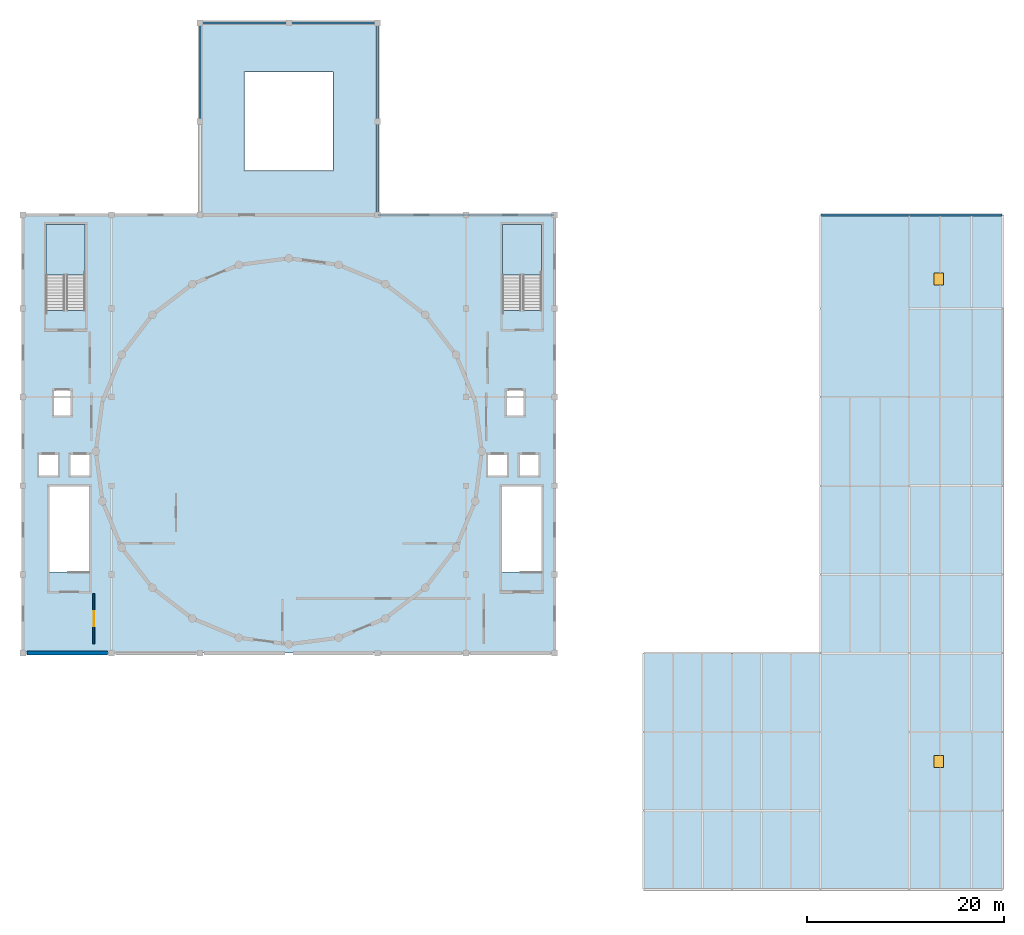
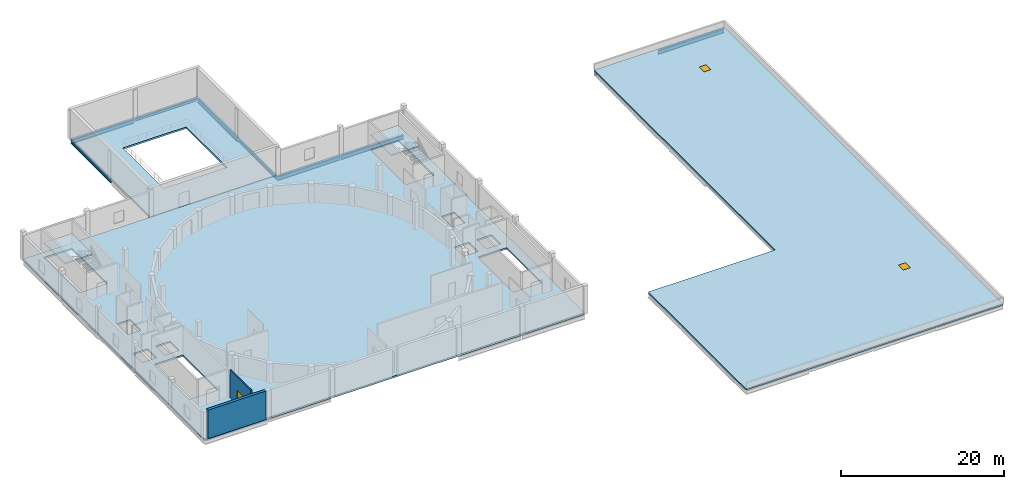
# One storey, part 3 of 10: 9 beams, 5 slabs, 3 doors, 2 walls, 3 openings, 2 elements without a shape of their own.
"""IFC4 building model written with IfcOpenShell, lengths in metres."""

from ifc_helpers import new_model, si_unit, direction, frame, frame_2d, origin, origin_2d, place, context, subcontext, project, spatial, polyline, rectangle, i_section, outline, extrude, material, layer, layer_set, material_profile, profile_set, type_object, element, fill, aggregate, save


model = new_model("IFC4")

# Units and contexts
model_context = context("Model", 3, precision=1e-05, world=origin(), true_north=direction((0.0, 1.0)))
body_context = subcontext(model_context, "Body", "Model", "MODEL_VIEW")
ifc_project = project(units=[si_unit("LENGTHUNIT", "METRE"), si_unit("AREAUNIT", "SQUARE_METRE"), si_unit("VOLUMEUNIT", "CUBIC_METRE"), si_unit("PLANEANGLEUNIT", "RADIAN"), si_unit("MASSUNIT", "GRAM", prefix="KILO")], contexts=[model_context])

# Site, building, storey
site_placement = place(None, origin())
site = spatial("IfcSite", under=ifc_project, at=site_placement, CompositionType="ELEMENT")
building_placement = place(site_placement, origin())
building = spatial("IfcBuilding", under=site, at=building_placement, Name="Marnock Terrace Opera House", CompositionType="ELEMENT")
storey_placement = place(building_placement, frame((0.0, 0.0, 23.699951171875)))
storey = spatial("IfcBuildingStorey", under=building, at=storey_placement, Name="L05", CompositionType="ELEMENT", Elevation=23.699951171875)

# Beams
ifc_material_1 = material(Name="Steel Grade 350 (AS/NZS 3679.1)", Category="steel")
ifc_material_profile_1 = material_profile(ifc_material_1, i_section(OverallWidth=0.177978515625, OverallDepth=0.402587890625, WebThickness=0.007568359375, FlangeThickness=0.010986328125, FilletRadius=0.011474609375, at=origin_2d()))
ifc_profile_set_1 = profile_set([ifc_material_profile_1], Name="Steel Grade 350 (AS/NZS 3679.1)")
beam_type_1 = type_object("IfcBeamType", Name="BM-GIRD-410", PredefinedType="BEAM", material=ifc_profile_set_1)
beam_1_placement = place(storey_placement, frame((82.050048828125, 104.0, -0.451171875), z_axis=(1.0, 0.0, 0.0), x_axis=(0.0, 1.0, 0.0)))
element("IfcBeam", 1, at=beam_1_placement, inside=storey, type_object=beam_type_1, Name="L05 girder (82.0..91.0, Y=104.0)", PredefinedType="BEAM", context=body_context, shape_type="SweptSolid", body=[
    extrude(i_section(OverallWidth=0.177978515625, OverallDepth=0.402587890625, WebThickness=0.007568359375, FlangeThickness=0.010986328125, FilletRadius=0.011474609375, at=origin_2d()), origin(), (0.0, 0.0, 1.0), 8.89990234375),
])
ifc_material_profile_2 = material_profile(ifc_material_1, i_section(OverallWidth=0.18994140625, OverallDepth=0.45751953125, WebThickness=0.009033203125, FlangeThickness=0.014404296875, FilletRadius=0.011474609375, at=origin_2d()))
ifc_profile_set_2 = profile_set([ifc_material_profile_2], Name="Steel Grade 350 (AS/NZS 3679.1)")
beam_type_2 = type_object("IfcBeamType", Name="BM-GIRD-460B", PredefinedType="BEAM", material=ifc_profile_set_2)
beam_2_placement = place(storey_placement, frame((73.0, 94.050048828125, -0.478759765625), z_axis=(0.0, 1.0, 0.0), x_axis=(-1.0, 0.0, 0.0)))
element("IfcBeam", 2, at=beam_2_placement, inside=storey, type_object=beam_type_2, Name="L05 girder (X=73.0, 94.0..104.0)", PredefinedType="BEAM", context=body_context, shape_type="SweptSolid", body=[
    extrude(i_section(OverallWidth=0.18994140625, OverallDepth=0.45751953125, WebThickness=0.009033203125, FlangeThickness=0.014404296875, FilletRadius=0.011474609375, at=origin_2d()), origin(), (0.0, 0.0, 1.0), 9.89990234375),
])
beam_3_placement = place(storey_placement, frame((91.0, 84.550048828125, -0.478759765625), z_axis=(0.0, 1.0, 0.0), x_axis=(-1.0, 0.0, 0.0)))
element("IfcBeam", 3, at=beam_3_placement, inside=storey, type_object=beam_type_2, Name="L05 girder (X=91.0, 84.5..94.0)", PredefinedType="BEAM", context=body_context, shape_type="SweptSolid", body=[
    extrude(i_section(OverallWidth=0.18994140625, OverallDepth=0.45751953125, WebThickness=0.009033203125, FlangeThickness=0.014404296875, FilletRadius=0.011474609375, at=origin_2d()), origin(), (0.0, 0.0, 1.0), 9.39990234375),
])
ifc_material_profile_3 = material_profile(ifc_material_1, i_section(OverallWidth=0.22900390625, OverallDepth=0.611572265625, WebThickness=0.011962890625, FlangeThickness=0.01953125, FilletRadius=0.013916015625, at=origin_2d()))
ifc_profile_set_3 = profile_set([ifc_material_profile_3], Name="Steel Grade 350 (AS/NZS 3679.1)")
beam_type_3 = type_object("IfcBeamType", Name="BM-GIRD-610A", PredefinedType="BEAM", material=ifc_profile_set_3)
beam_4_placement = place(storey_placement, frame((100.050048828125, 84.5, -0.5556640625), z_axis=(1.0, 0.0, 0.0), x_axis=(0.0, 1.0, 0.0)))
element("IfcBeam", 4, at=beam_4_placement, inside=storey, type_object=beam_type_3, Name="L05 girder (100.0..109.0, Y=84.5)", PredefinedType="BEAM", context=body_context, shape_type="SweptSolid", body=[
    extrude(i_section(OverallWidth=0.22900390625, OverallDepth=0.611572265625, WebThickness=0.011962890625, FlangeThickness=0.01953125, FilletRadius=0.013916015625, at=origin_2d()), origin(), (0.0, 0.0, 1.0), 8.89990234375),
])
beam_5_placement = place(storey_placement, frame((145.050048828125, 84.5, -0.525634765625), z_axis=(1.0, 0.0, 0.0), x_axis=(0.0, 1.0, 0.0)))
element("IfcBeam", 5, at=beam_5_placement, inside=storey, type_object=beam_type_3, Name="L05 girder (145.0..154.5, Y=84.5)", PredefinedType="BEAM", context=body_context, shape_type="SweptSolid", body=[
    extrude(i_section(OverallWidth=0.22900390625, OverallDepth=0.611572265625, WebThickness=0.011962890625, FlangeThickness=0.01953125, FilletRadius=0.013916015625, at=origin_2d()), origin(), (0.0, 0.0, 1.0), 9.39990234375),
])
beam_6_placement = place(storey_placement, frame((73.050048828125, 104.0, -0.5556640625), z_axis=(1.0, 0.0, 0.0), x_axis=(0.0, 1.0, 0.0)))
element("IfcBeam", 6, at=beam_6_placement, inside=storey, type_object=beam_type_3, Name="L05 girder (73.0..82.0, Y=104.0)", PredefinedType="BEAM", context=body_context, shape_type="SweptSolid", body=[
    extrude(i_section(OverallWidth=0.22900390625, OverallDepth=0.611572265625, WebThickness=0.011962890625, FlangeThickness=0.01953125, FilletRadius=0.013916015625, at=origin_2d()), origin(), (0.0, 0.0, 1.0), 8.89990234375),
])
ifc_material_profile_4 = material_profile(ifc_material_1, i_section(OverallWidth=0.22802734375, OverallDepth=0.60693359375, WebThickness=0.01123046875, FlangeThickness=0.017333984375, FilletRadius=0.013916015625, at=origin_2d()))
ifc_profile_set_4 = profile_set([ifc_material_profile_4], Name="Steel Grade 350 (AS/NZS 3679.1)")
beam_type_4 = type_object("IfcBeamType", Name="BM-GIRD-610B", PredefinedType="BEAM", material=ifc_profile_set_4)
for number, where, z_axis, x_axis, name in (
    (7, (91.050048828125, 84.5, -0.553466796875), (1.0, 0.0, 0.0), (0.0, 1.0, 0.0), "L05 girder (91.0..100.0, Y=84.5)"),
    (8, (136.050048828125, 84.5, -0.5234375), (1.0, 0.0, 0.0), (0.0, 1.0, 0.0), "L05 girder (136.0..145.0, Y=84.5)"),
):
    element("IfcBeam", number, at=place(storey_placement, frame(where, z_axis=z_axis, x_axis=x_axis)), inside=storey, type_object=beam_type_4, Name=name, PredefinedType="BEAM", context=body_context, shape_type="SweptSolid", body=[
        extrude(i_section(OverallWidth=0.22802734375, OverallDepth=0.60693359375, WebThickness=0.01123046875, FlangeThickness=0.017333984375, FilletRadius=0.013916015625, at=origin_2d()), origin(), (0.0, 0.0, 1.0), 8.89990234375),
    ])
ifc_material_profile_5 = material_profile(ifc_material_1, i_section(OverallWidth=0.22802734375, OverallDepth=0.60205078125, WebThickness=0.010498046875, FlangeThickness=0.014892578125, FilletRadius=0.013916015625, at=origin_2d()))
ifc_profile_set_5 = profile_set([ifc_material_profile_5], Name="Steel Grade 350 (AS/NZS 3679.1)")
beam_type_5 = type_object("IfcBeamType", Name="BM-GIRD-610C", PredefinedType="BEAM", material=ifc_profile_set_5)
beam_7_placement = place(storey_placement, frame((91.0, 94.050048828125, -0.551025390625), z_axis=(0.0, 1.0, 0.0), x_axis=(-1.0, 0.0, 0.0)))
element("IfcBeam", 9, at=beam_7_placement, inside=storey, type_object=beam_type_5, Name="L05 girder (X=91.0, 94.0..104.0)", PredefinedType="BEAM", context=body_context, shape_type="SweptSolid", body=[
    extrude(i_section(OverallWidth=0.22802734375, OverallDepth=0.60205078125, WebThickness=0.010498046875, FlangeThickness=0.014892578125, FilletRadius=0.013916015625, at=origin_2d()), origin(), (0.0, 0.0, 1.0), 9.89990234375),
])

# Slabs
ifc_material_2 = material(Name="Concrete N40 (f'c = 40 MPa)", Category="concrete")
ifc_layer_1 = layer(ifc_material_2, 0.25)
ifc_layer_set_1 = layer_set([ifc_layer_1], Name="Concrete N40 (f'c = 40 MPa)")
slab_type_1 = type_object("IfcSlabType", Name="SL-FLR-250", PredefinedType="FLOOR", material=ifc_layer_set_1)
slab_1_placement = place(storey_placement, frame((0.0, 0.0, -0.25)))
element("IfcSlab", 10, at=slab_1_placement, inside=storey, type_object=slab_type_1, Name="L05 Auditorium promenade structural floor slab", PredefinedType="FLOOR", context=body_context, shape_type="SweptSolid", body=[
    extrude(outline(polyline([(55.0, 40.0), (109.0, 40.0), (109.0, 84.5), (55.0, 84.5), (55.0, 40.0)]), holes=[polyline([(61.719970703125, 48.239990234375), (61.719970703125, 56.919921875), (57.679931640625, 56.919921875), (57.679931640625, 48.239990234375), (61.719970703125, 48.239990234375)]), polyline([(56.580078125, 57.97998046875), (58.6201171875, 57.97998046875), (58.6201171875, 60.219970703125), (56.580078125, 60.219970703125), (56.580078125, 57.97998046875)]), polyline([(59.780029296875, 57.97998046875), (61.820068359375, 57.97998046875), (61.820068359375, 60.219970703125), (59.780029296875, 60.219970703125), (59.780029296875, 57.97998046875)]), polyline([(107.679931640625, 48.239990234375), (107.679931640625, 56.919921875), (103.639892578125, 56.919921875), (103.639892578125, 48.239990234375), (107.679931640625, 48.239990234375)]), polyline([(102.179931640625, 57.97998046875), (104.219970703125, 57.97998046875), (104.219970703125, 60.219970703125), (102.179931640625, 60.219970703125), (102.179931640625, 57.97998046875)]), polyline([(105.3798828125, 57.97998046875), (107.419921875, 57.97998046875), (107.419921875, 60.219970703125), (105.3798828125, 60.219970703125), (105.3798828125, 57.97998046875)]), polyline([(61.320068359375, 74.800048828125), (61.320068359375, 83.52001953125), (57.360107421875, 83.52001953125), (57.360107421875, 74.800048828125), (61.320068359375, 74.800048828125)]), polyline([(58.080078125, 64.080078125), (59.919921875, 64.080078125), (59.919921875, 66.719970703125), (58.080078125, 66.719970703125), (58.080078125, 64.080078125)]), polyline([(107.679931640625, 74.800048828125), (107.679931640625, 83.52001953125), (103.719970703125, 83.52001953125), (103.719970703125, 74.800048828125), (107.679931640625, 74.800048828125)]), polyline([(104.080078125, 64.080078125), (105.919921875, 64.080078125), (105.919921875, 66.719970703125), (104.080078125, 66.719970703125), (104.080078125, 64.080078125)])]), origin(), (0.0, 0.0, 1.0), 0.25),
])
slab_2_placement = place(storey_placement, frame((0.0, 0.0, -0.25)))
element("IfcSlab", 11, at=slab_2_placement, inside=storey, type_object=slab_type_1, Name="L05 Stage House structural slab", PredefinedType="FLOOR", context=body_context, shape_type="SweptSolid", body=[
    extrude(outline(polyline([(73.0, 84.5), (91.0, 84.5), (91.0, 104.0), (73.0, 104.0), (73.0, 84.5)]), holes=[polyline([(77.5, 89.0), (86.5, 89.0), (86.5, 99.0), (77.5, 99.0), (77.5, 89.0)])]), origin(), (0.0, 0.0, 1.0), 0.25),
])

# Stair, slab
stair_type = type_object("IfcStairType", Name="ST-TYPE-2400", PredefinedType="HALF_TURN_STAIR", material=ifc_material_2)
stair_1_placement = place(storey_placement, origin())
stair_1 = element("IfcStair", 12, at=stair_1_placement, inside=storey, type_object=stair_type, Name="L05 ST-03", PredefinedType="HALF_TURN_STAIR")
ifc_material_3 = material(Name="Concrete N32 (f'c = 32 MPa)", Category="concrete")
ifc_layer_2 = layer(ifc_material_3, 0.199951171875)
ifc_layer_set_2 = layer_set([ifc_layer_2], Name="Concrete N32 (f'c = 32 MPa)")
slab_type_2 = type_object("IfcSlabType", Name="SL-LAND-200", PredefinedType="LANDING", material=ifc_layer_set_2)
slab_3_placement = place(storey_placement, frame((0.0, 0.0, 2.050048828125)))
slab_3 = element("IfcSlab", 13, at=slab_3_placement, type_object=slab_type_2, Name="ST-03 landing 1", PredefinedType="LANDING", context=body_context, shape_type="SweptSolid", body=[
    extrude(outline(polyline([(61.320068359375, 78.39990234375), (61.320068359375, 83.52001953125), (57.360107421875, 83.52001953125), (57.360107421875, 78.39990234375), (61.320068359375, 78.39990234375)])), origin(), (0.0, 0.0, 1.0), 0.199951171875),
])
aggregate(stair_1, [slab_3])

stair_2_placement = place(storey_placement, origin())
stair_2 = element("IfcStair", 14, at=stair_2_placement, inside=storey, type_object=stair_type, Name="L05 ST-04", PredefinedType="HALF_TURN_STAIR")
slab_4_placement = place(storey_placement, frame((0.0, 0.0, 2.050048828125)))
slab_4 = element("IfcSlab", 15, at=slab_4_placement, type_object=slab_type_2, Name="ST-04 landing 1", PredefinedType="LANDING", context=body_context, shape_type="SweptSolid", body=[
    extrude(outline(polyline([(107.679931640625, 78.39990234375), (107.679931640625, 83.52001953125), (103.719970703125, 83.52001953125), (103.719970703125, 78.39990234375), (107.679931640625, 78.39990234375)])), origin(), (0.0, 0.0, 1.0), 0.199951171875),
])
aggregate(stair_2, [slab_4])

# Slab, openings, doors
ifc_layer_3 = layer(ifc_material_2, 0.219970703125)
ifc_layer_set_3 = layer_set([ifc_layer_3], Name="Concrete N40 (f'c = 40 MPa)")
slab_type_3 = type_object("IfcSlabType", Name="SL-ROOF-220", PredefinedType="ROOF", material=ifc_layer_set_3)
slab_5_placement = place(storey_placement, frame((0.0, 0.0, -0.219970703125)))
slab_5 = element("IfcSlab", 16, at=slab_5_placement, inside=storey, type_object=slab_type_3, Name="L05 structural roof slab SL-ROOF-V5-ATTIC", PredefinedType="ROOF", context=body_context, shape_type="SweptSolid", body=[
    extrude(outline(polyline([(118.0, 16.0), (154.5, 16.0), (154.5, 84.5), (136.0, 84.5), (136.0, 40.0), (118.0, 40.0), (118.0, 16.0)])), origin(), (0.0, 0.0, 1.0), 0.219970703125),
])
opening_1_placement = place(slab_5_placement, frame((148.0, 29.0, 0.0)))
opening_1 = element("IfcOpeningElement", 17, at=opening_1_placement, cuts=slab_5, Name="Opening DT-107", PredefinedType="OPENING", context=body_context, shape_type="SweptSolid", body=[
    extrude(rectangle(XDim=1.0, YDim=1.199951171875, at=origin_2d()), frame((0.0, 0.0, -0.010009765625)), (0.0, 0.0, 1.0), 0.239990234375),
])
opening_2_placement = place(slab_5_placement, frame((148.0, 78.0, 0.0)))
opening_2 = element("IfcOpeningElement", 18, at=opening_2_placement, cuts=slab_5, Name="Opening DT-107", PredefinedType="OPENING", context=body_context, shape_type="SweptSolid", body=[
    extrude(rectangle(XDim=1.0, YDim=1.199951171875, at=origin_2d()), frame((0.0, 0.0, -0.010009765625)), (0.0, 0.0, 1.0), 0.239990234375),
])
ifc_material_4 = material(Name="Galvanised architectural steel framing", Category="steel")
door_type_1 = type_object("IfcDoorType", Name="DT-HATCH-1000x1200", OperationType="NOTDEFINED", PredefinedType="TRAPDOOR", material=ifc_material_4)
door_1_placement = place(opening_1_placement, frame((0.0, 0.0, 0.169921875)))
door_1 = element("IfcDoor", 19, at=door_1_placement, inside=storey, type_object=door_type_1, Name="Roof maintenance access hatch RH-V5-01", OperationType="SINGLE_SWING_LEFT", OverallHeight=1.199951171875, OverallWidth=1.0, PredefinedType="TRAPDOOR", context=body_context, shape_type="SweptSolid", body=[
    extrude(rectangle(XDim=1.0, YDim=1.199951171875, at=origin_2d()), origin(), (0.0, 0.0, 1.0), 0.050048828125),
])
fill(opening_1, door_1)
door_2_placement = place(opening_2_placement, frame((0.0, 0.0, 0.169921875)))
door_2 = element("IfcDoor", 20, at=door_2_placement, inside=storey, type_object=door_type_1, Name="Roof maintenance access hatch RH-V5-02", OperationType="SINGLE_SWING_LEFT", OverallHeight=1.199951171875, OverallWidth=1.0, PredefinedType="TRAPDOOR", context=body_context, shape_type="SweptSolid", body=[
    extrude(rectangle(XDim=1.0, YDim=1.199951171875, at=origin_2d()), origin(), (0.0, 0.0, 1.0), 0.050048828125),
])
fill(opening_2, door_2)

# Wall, opening, door
ifc_material_5 = material(Name="Rendered acoustic concrete blockwork", Category="masonry")
ifc_layer_4 = layer(ifc_material_5, 0.175048828125)
ifc_layer_set_4 = layer_set([ifc_layer_4], Name="Rendered acoustic concrete blockwork")
wall_type_1 = type_object("IfcWallType", Name="IW-FIRE-175", PredefinedType="PARTITIONING", material=ifc_layer_set_4)
wall_1_placement = place(storey_placement, frame((62.199951171875, 40.949951171875, 0.0), z_axis=(0.0, 0.0, 1.0), x_axis=(0.0, 1.0, 0.0)))
wall_1 = element("IfcWall", 21, at=wall_1_placement, inside=storey, type_object=wall_type_1, Name="L05 C1 fire-rated lift and stair lobby wall", PredefinedType="PARTITIONING", context=body_context, shape_type="SweptSolid", body=[
    extrude(rectangle(XDim=5.10009765625, YDim=0.175048828125, at=frame_2d((2.550048828125, 0.0))), origin(), (0.0, 0.0, 1.0), 4.22998046875),
])
opening_3_placement = place(wall_1_placement, frame((1.77490234375, 0.0, 0.0)))
opening_3 = element("IfcOpeningElement", 22, at=opening_3_placement, cuts=wall_1, Name="Opening FD-C1-L05", PredefinedType="OPENING", context=body_context, shape_type="SweptSolid", body=[
    extrude(rectangle(XDim=1.550048828125, YDim=2.219970703125, at=frame_2d((0.77490234375, 1.10986328125))), frame((0.0, 0.097412109375, 0.0), z_axis=(0.0, -1.0, 0.0), x_axis=(1.0, 0.0, 0.0)), (0.0, 0.0, 1.0), 0.195068359375),
])
ifc_material_6 = material(Name="Fire-rated acoustic timber-core door assembly", Category="wood")
door_type_2 = type_object("IfcDoorType", Name="DT-LOBBY-1550", OperationType="NOTDEFINED", PredefinedType="DOOR", material=ifc_material_6)
door_3_placement = place(opening_3_placement, origin())
door_3 = element("IfcDoor", 23, at=door_3_placement, inside=storey, type_object=door_type_2, Name="L05 C1 lobby self-closing smoke door", OperationType="SINGLE_SWING_RIGHT", OverallHeight=2.219970703125, OverallWidth=1.550048828125, PredefinedType="DOOR", context=body_context, shape_type="SweptSolid", body=[
    extrude(rectangle(XDim=1.550048828125, YDim=2.219970703125, at=frame_2d((0.77490234375, 1.10986328125))), frame((0.0, 0.02490234375, 0.0), z_axis=(0.0, -1.0, 0.0), x_axis=(1.0, 0.0, 0.0)), (0.0, 0.0, 1.0), 0.050048828125),
])
fill(opening_3, door_3)

# Wall
ifc_material_7 = material(Name="Concrete N50 (f'c = 50 MPa)", Category="concrete")
ifc_layer_5 = layer(ifc_material_7, 0.39990234375)
ifc_layer_set_5 = layer_set([ifc_layer_5], Name="Concrete N50 (f'c = 50 MPa)")
wall_type_2 = type_object("IfcWallType", Name="SW-DRUM-400", PredefinedType="SHEAR", material=ifc_layer_set_5)
wall_2_placement = place(storey_placement, frame((55.39990234375, 40.0, 0.0), z_axis=(0.0, 0.0, 1.0), x_axis=(1.0, 0.0, 0.0)))
element("IfcWall", 24, at=wall_2_placement, inside=storey, type_object=wall_type_2, Name="L05 Drum block south structural diaphragm wall", PredefinedType="SHEAR", context=body_context, shape_type="SweptSolid", body=[
    extrude(rectangle(XDim=8.2001953125, YDim=0.39990234375, at=frame_2d((4.10009765625, 0.0))), origin(), (0.0, 0.0, 1.0), 4.280029296875),
])

save(model, "model.ifc")
